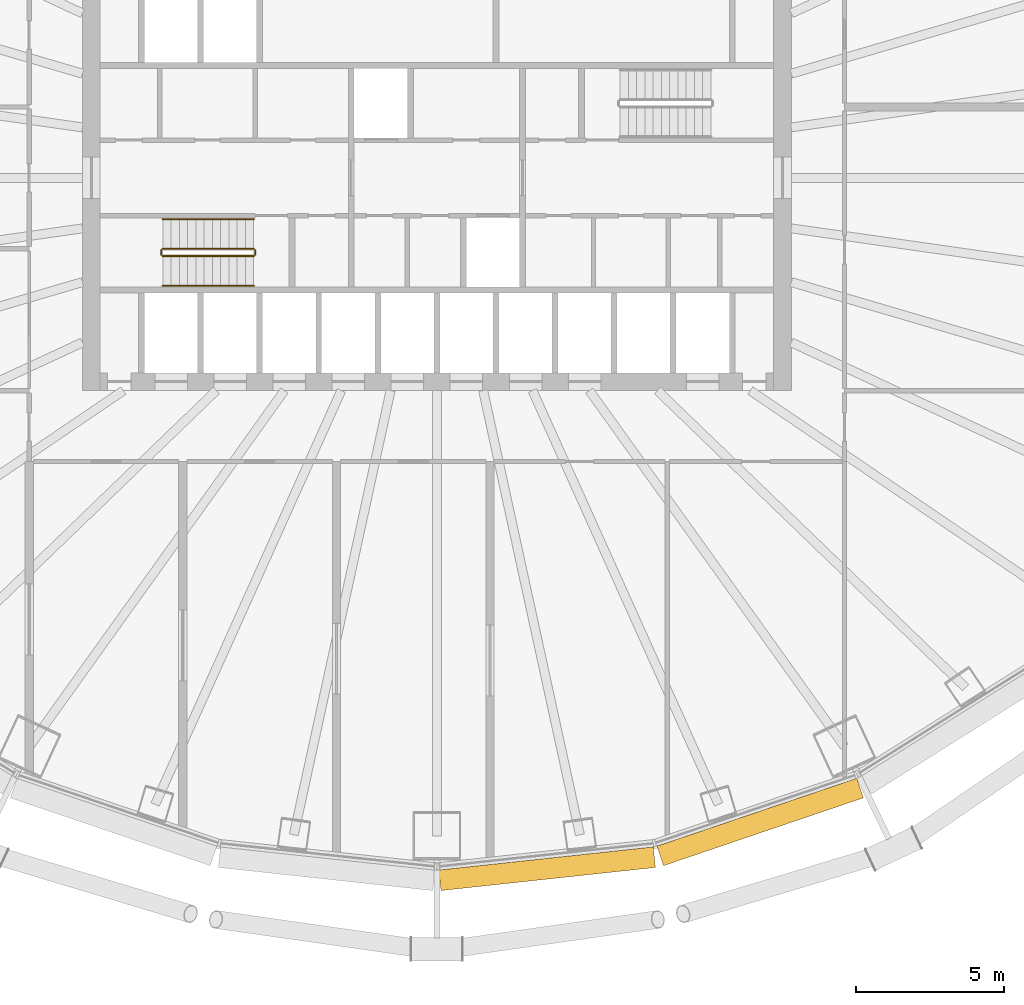
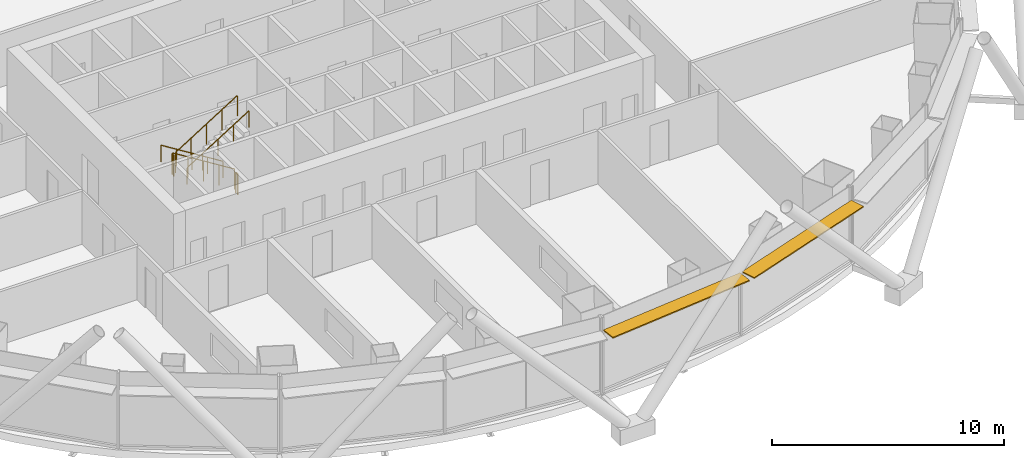
# One storey, part 14 of 16: 6 railings, 2 shading devices.
"""IFC4 building model written with IfcOpenShell, lengths in metres."""

from ifc_helpers import new_model, si_unit, direction, frame, origin, origin_2d, place, context, subcontext, project, spatial, rectangle, circle, extrude, material, layer, layer_set, type_object, element, save


model = new_model("IFC4")

# Units and contexts
model_context = context("Model", 3, precision=1e-05, world=origin(), true_north=direction((0.0, 1.0)))
body_context = subcontext(model_context, "Body", "Model", "MODEL_VIEW")
ifc_project = project(units=[si_unit("LENGTHUNIT", "METRE"), si_unit("AREAUNIT", "SQUARE_METRE"), si_unit("VOLUMEUNIT", "CUBIC_METRE"), si_unit("PLANEANGLEUNIT", "RADIAN"), si_unit("MASSUNIT", "GRAM", prefix="KILO")], contexts=[model_context])

# Site, building, storey
site_placement = place(None, origin())
site = spatial("IfcSite", under=ifc_project, at=site_placement, CompositionType="ELEMENT")
building_placement = place(site_placement, origin())
building = spatial("IfcBuilding", under=site, at=building_placement, Name="Siaravel Broadcast Tower", CompositionType="ELEMENT")
storey_placement = place(building_placement, frame((0.0, 0.0, 28.699951171875)))
storey = spatial("IfcBuildingStorey", under=building, at=storey_placement, Name="L05", CompositionType="ELEMENT", Elevation=28.699951171875)

# Shading devices
ifc_material_1 = material(Name="Bronze anodised aluminium", Category="aluminium")
ifc_layer = layer(ifc_material_1, 0.06005859375)
ifc_layer_set = layer_set([ifc_layer], Name="Bronze anodised aluminium")
shading_device_type = type_object("IfcShadingDeviceType", Name="Brise-soleil band", PredefinedType="USERDEFINED", material=ifc_layer_set)
shading_device_1_placement = place(storey_placement, frame((3.731689453125, -23.388916015625, 3.27001953125), z_axis=(0.0, 0.0, 1.0), x_axis=(0.994235667, 0.107216783, 0.0)))
element("IfcShadingDevice", 1, at=shading_device_1_placement, inside=storey, type_object=shading_device_type, Name="L05 brise-soleil band 19", ObjectType="SUNSHADE", PredefinedType="USERDEFINED", context=body_context, shape_type="SweptSolid", body=[
    extrude(rectangle(XDim=7.3046875, YDim=0.699951171875, at=origin_2d()), origin(), (0.0, 0.0, 1.0), 0.06005859375),
])
shading_device_2_placement = place(storey_placement, frame((10.944580078125, -21.805908203125, 3.27001953125), z_axis=(0.0, 0.0, 1.0), x_axis=(0.946977245, 0.321300635, 0.0)))
element("IfcShadingDevice", 2, at=shading_device_2_placement, inside=storey, type_object=shading_device_type, Name="L05 brise-soleil band 20", ObjectType="SUNSHADE", PredefinedType="USERDEFINED", context=body_context, shape_type="SweptSolid", body=[
    extrude(rectangle(XDim=7.145263671875, YDim=0.699951171875, at=origin_2d()), origin(), (0.0, 0.0, 1.0), 0.06005859375),
])

# Railings
ifc_material_2 = material(Name="Stainless steel 316L", Category="steel")
railing_type_1 = type_object("IfcRailingType", Name="Stair guard 1100", PredefinedType="GUARDRAIL", material=ifc_material_2)
railing_1_placement = place(storey_placement, frame((-6.199951171875, -2.39990234375, 0.175048828125)))
element("IfcRailing", 3, at=railing_1_placement, inside=storey, type_object=railing_type_1, Name="L05 ST-1 stair guard 1", PredefinedType="GUARDRAIL", context=body_context, shape_type="SweptSolid", body=[
    extrude(circle(Radius=0.02392578125, at=origin_2d()), frame((0.0, 0.0, 1.076171875), z_axis=(-0.847998304, 0.0, 0.52999894), x_axis=(0.0, -1.0, 0.0)), (0.0, 0.0, 1.0), 3.632080078125),
    extrude(circle(Radius=0.02099609375, at=origin_2d()), origin(), (0.0, 0.0, 1.0), 1.052001953125),
    extrude(circle(Radius=0.02099609375, at=origin_2d()), frame((-0.77001953125, 0.0, 0.481201171875)), (0.0, 0.0, 1.0), 1.052001953125),
    extrude(circle(Radius=0.02099609375, at=origin_2d()), frame((-1.5400390625, 0.0, 0.96240234375)), (0.0, 0.0, 1.0), 1.052001953125),
    extrude(circle(Radius=0.02099609375, at=origin_2d()), frame((-2.31005859375, 0.0, 1.44384765625)), (0.0, 0.0, 1.0), 1.052001953125),
    extrude(circle(Radius=0.02099609375, at=origin_2d()), frame((-3.080078125, 0.0, 1.925048828125)), (0.0, 0.0, 1.0), 1.052001953125),
])
railing_2_placement = place(storey_placement, frame((-9.330078125, -2.449951171875, 2.10009765625)))
element("IfcRailing", 4, at=railing_2_placement, inside=storey, type_object=railing_type_1, Name="L05 ST-1 stair guard 2", PredefinedType="GUARDRAIL", context=body_context, shape_type="SweptSolid", body=[
    extrude(circle(Radius=0.02392578125, at=origin_2d()), frame((0.0, 0.0, 1.076171875), z_axis=(0.0, -1.0, 0.0), x_axis=(1.0, 0.0, 0.0)), (0.0, 0.0, 1.0), 0.150146484375),
    extrude(circle(Radius=0.02099609375, at=origin_2d()), origin(), (0.0, 0.0, 1.0), 1.052001953125),
    extrude(circle(Radius=0.02099609375, at=origin_2d()), frame((0.0, -0.150146484375, 0.0)), (0.0, 0.0, 1.0), 1.052001953125),
])
railing_3_placement = place(storey_placement, frame((-9.280029296875, -2.64990234375, 2.275146484375)))
element("IfcRailing", 5, at=railing_3_placement, inside=storey, type_object=railing_type_1, Name="L05 ST-1 stair guard 3", PredefinedType="GUARDRAIL", context=body_context, shape_type="SweptSolid", body=[
    extrude(circle(Radius=0.02392578125, at=origin_2d()), frame((0.0, 0.0, 1.076171875), z_axis=(0.848028513, 0.0, 0.529950602), x_axis=(0.0, 1.0, 0.0)), (0.0, 0.0, 1.0), 3.632080078125),
    extrude(circle(Radius=0.02099609375, at=origin_2d()), origin(), (0.0, 0.0, 1.0), 1.052001953125),
    extrude(circle(Radius=0.02099609375, at=origin_2d()), frame((0.77001953125, 0.0, 0.481201171875)), (0.0, 0.0, 1.0), 1.052001953125),
    extrude(circle(Radius=0.02099609375, at=origin_2d()), frame((1.5400390625, 0.0, 0.96240234375)), (0.0, 0.0, 1.0), 1.052001953125),
    extrude(circle(Radius=0.02099609375, at=origin_2d()), frame((2.31005859375, 0.0, 1.443603515625)), (0.0, 0.0, 1.0), 1.052001953125),
    extrude(circle(Radius=0.02099609375, at=origin_2d()), frame((3.080078125, 0.0, 1.9248046875)), (0.0, 0.0, 1.0), 1.052001953125),
])
railing_4_placement = place(storey_placement, frame((-6.14990234375, -2.449951171875, 0.0)))
element("IfcRailing", 6, at=railing_4_placement, inside=storey, type_object=railing_type_1, Name="L05 ST-1 stair guard 4", PredefinedType="GUARDRAIL", context=body_context, shape_type="SweptSolid", body=[
    extrude(circle(Radius=0.02392578125, at=origin_2d()), frame((0.0, 0.0, 1.076171875), z_axis=(0.0, -1.0, 0.0), x_axis=(1.0, 0.0, 0.0)), (0.0, 0.0, 1.0), 0.150146484375),
    extrude(circle(Radius=0.02099609375, at=origin_2d()), origin(), (0.0, 0.0, 1.0), 1.052001953125),
    extrude(circle(Radius=0.02099609375, at=origin_2d()), frame((0.0, -0.150146484375, 0.0)), (0.0, 0.0, 1.0), 1.052001953125),
])
railing_type_2 = type_object("IfcRailingType", Name="Stair handrail 900", PredefinedType="HANDRAIL", material=ifc_material_2)
railing_5_placement = place(storey_placement, frame((-6.199951171875, -1.39990234375, 0.175048828125)))
element("IfcRailing", 7, at=railing_5_placement, inside=storey, type_object=railing_type_2, Name="L05 ST-1 stair handrail 1", PredefinedType="HANDRAIL", context=body_context, shape_type="SweptSolid", body=[
    extrude(circle(Radius=0.02392578125, at=origin_2d()), frame((0.0, 0.0, 0.8759765625), z_axis=(-0.847998304, 0.0, 0.52999894), x_axis=(0.0, -1.0, 0.0)), (0.0, 0.0, 1.0), 3.632080078125),
    extrude(circle(Radius=0.02099609375, at=origin_2d()), origin(), (0.0, 0.0, 1.0), 0.851806640625),
    extrude(circle(Radius=0.02099609375, at=origin_2d()), frame((-0.77001953125, 0.0, 0.481201171875)), (0.0, 0.0, 1.0), 0.851806640625),
    extrude(circle(Radius=0.02099609375, at=origin_2d()), frame((-1.5400390625, 0.0, 0.96240234375)), (0.0, 0.0, 1.0), 0.851806640625),
    extrude(circle(Radius=0.02099609375, at=origin_2d()), frame((-2.31005859375, 0.0, 1.44384765625)), (0.0, 0.0, 1.0), 0.851806640625),
    extrude(circle(Radius=0.02099609375, at=origin_2d()), frame((-3.080078125, 0.0, 1.925048828125)), (0.0, 0.0, 1.0), 0.851806640625),
])
railing_6_placement = place(storey_placement, frame((-9.280029296875, -3.64990234375, 2.275146484375)))
element("IfcRailing", 8, at=railing_6_placement, inside=storey, type_object=railing_type_2, Name="L05 ST-1 stair handrail 2", PredefinedType="HANDRAIL", context=body_context, shape_type="SweptSolid", body=[
    extrude(circle(Radius=0.02392578125, at=origin_2d()), frame((0.0, 0.0, 0.8759765625), z_axis=(0.848028513, 0.0, 0.529950602), x_axis=(0.0, 1.0, 0.0)), (0.0, 0.0, 1.0), 3.632080078125),
    extrude(circle(Radius=0.02099609375, at=origin_2d()), origin(), (0.0, 0.0, 1.0), 0.851806640625),
    extrude(circle(Radius=0.02099609375, at=origin_2d()), frame((0.77001953125, 0.0, 0.481201171875)), (0.0, 0.0, 1.0), 0.851806640625),
    extrude(circle(Radius=0.02099609375, at=origin_2d()), frame((1.5400390625, 0.0, 0.96240234375)), (0.0, 0.0, 1.0), 0.851806640625),
    extrude(circle(Radius=0.02099609375, at=origin_2d()), frame((2.31005859375, 0.0, 1.443603515625)), (0.0, 0.0, 1.0), 0.851806640625),
    extrude(circle(Radius=0.02099609375, at=origin_2d()), frame((3.080078125, 0.0, 1.9248046875)), (0.0, 0.0, 1.0), 0.851806640625),
])

save(model, "model.ifc")
